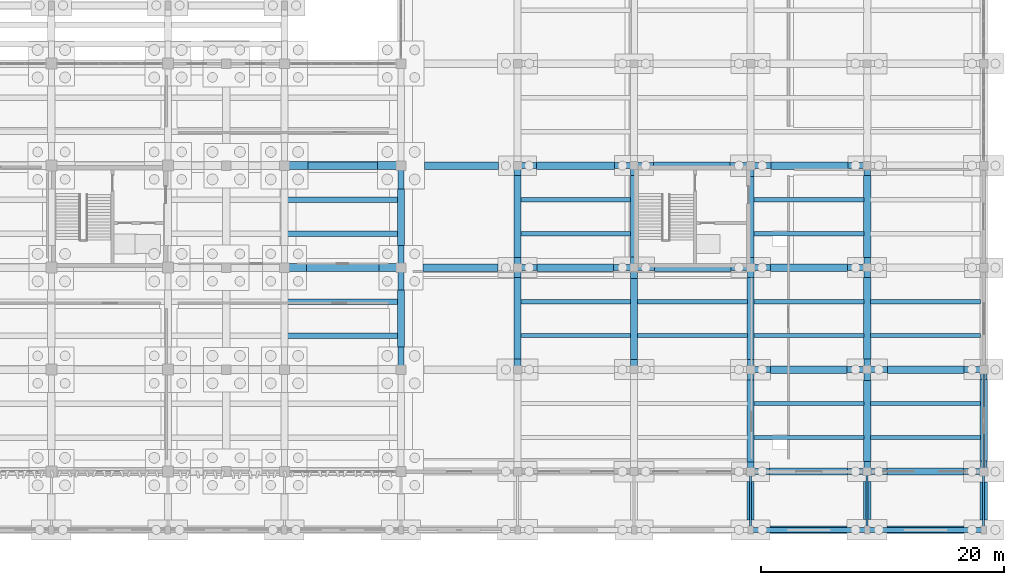
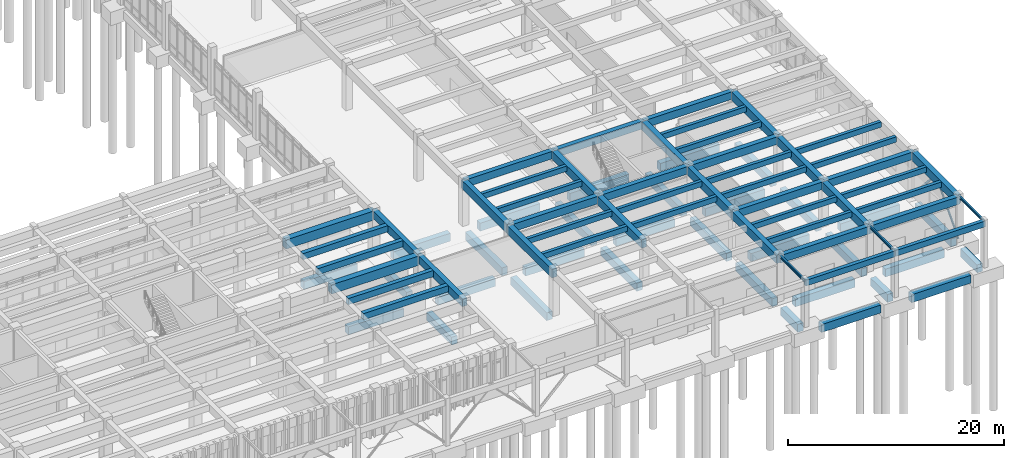
# One storey, part 42 of 102: 82 beams, 2 members.
"""IFC4 building model written with IfcOpenShell, lengths in metres."""

from ifc_helpers import new_model, si_unit, direction, frame, origin, origin_2d, place, context, subcontext, project, spatial, rectangle, hollow_rectangle, i_section, extrude, material, material_profile, profile_set, type_object, element, save


model = new_model("IFC4")

# Units and contexts
model_context = context("Model", 3, precision=1e-05, world=origin(), true_north=direction((0.0, 1.0)))
body_context = subcontext(model_context, "Body", "Model", "MODEL_VIEW")
ifc_project = project(units=[si_unit("LENGTHUNIT", "METRE"), si_unit("AREAUNIT", "SQUARE_METRE"), si_unit("VOLUMEUNIT", "CUBIC_METRE"), si_unit("PLANEANGLEUNIT", "RADIAN"), si_unit("MASSUNIT", "GRAM", prefix="KILO")], contexts=[model_context])

# Site, building, storey
site_placement = place(None, origin())
site = spatial("IfcSite", under=ifc_project, at=site_placement, CompositionType="ELEMENT")
building_placement = place(site_placement, origin())
building = spatial("IfcBuilding", under=site, at=building_placement, Name="Kolvemor Railside Polytechnic", CompositionType="ELEMENT")
storey_placement = place(building_placement, origin())
storey = spatial("IfcBuildingStorey", under=building, at=storey_placement, Name="L00", CompositionType="ELEMENT", Elevation=0.0)

# Beams
ifc_material_1 = material(Name="Concrete C40/50", Category="concrete")
ifc_material_profile_1 = material_profile(ifc_material_1, rectangle(XDim=0.39990234375, YDim=0.64990234375, at=origin_2d()), Name="RC400x650")
ifc_profile_set_1 = profile_set([ifc_material_profile_1], Name="Concrete C40/50")
beam_type_1 = type_object("IfcBeamType", Name="BM-RC-EDGE", PredefinedType="LINTEL", material=ifc_profile_set_1)
beam_1_placement = place(storey_placement, frame((163.199951171875, 0.0, 4.885009765625), z_axis=(1.0, 0.0, 0.0), x_axis=(0.0, 1.0, 0.0)))
element("IfcBeam", 1, at=beam_1_placement, inside=storey, type_object=beam_type_1, Name="Arcade Canopy Lintel Beam 1987", PredefinedType="LINTEL", context=body_context, shape_type="SweptSolid", body=[
    extrude(rectangle(XDim=0.39990234375, YDim=0.64990234375, at=origin_2d()), origin(), (0.0, 0.0, 1.0), 9.60009765625),
])
beam_2_placement = place(storey_placement, frame((172.800048828125, 0.0, 4.885009765625), z_axis=(1.0, 0.0, 0.0), x_axis=(0.0, 1.0, 0.0)))
element("IfcBeam", 2, at=beam_2_placement, inside=storey, type_object=beam_type_1, Name="Arcade Canopy Lintel Beam 1988", PredefinedType="LINTEL", context=body_context, shape_type="SweptSolid", body=[
    extrude(rectangle(XDim=0.39990234375, YDim=0.64990234375, at=origin_2d()), origin(), (0.0, 0.0, 1.0), 9.599853515625),
])
ifc_material_2 = material(Name="Concrete C40/50", Category="concrete")
ifc_material_profile_2 = material_profile(ifc_material_2, rectangle(XDim=0.550048828125, YDim=0.949951171875, at=origin_2d()), Name="RC550x950")
ifc_profile_set_2 = profile_set([ifc_material_profile_2], Name="Concrete C40/50")
beam_type_2 = type_object("IfcBeamType", Name="BM-RC-GIRD", PredefinedType="BEAM", material=ifc_profile_set_2)
beam_3_placement = place(storey_placement, frame((144.0, 13.199951171875, 4.635009765625), z_axis=(0.0, 1.0, 0.0), x_axis=(-1.0, 0.0, 0.0)))
element("IfcBeam", 3, at=beam_3_placement, inside=storey, type_object=beam_type_2, Name="Primary Girder L01-GY 0379", PredefinedType="BEAM", context=body_context, shape_type="SweptSolid", body=[
    extrude(rectangle(XDim=0.550048828125, YDim=0.949951171875, at=origin_2d()), origin(), (0.0, 0.0, 1.0), 8.400146484375),
])
beam_4_placement = place(storey_placement, frame((144.0, 21.60009765625, 4.635009765625), z_axis=(0.0, 1.0, 0.0), x_axis=(-1.0, 0.0, 0.0)))
element("IfcBeam", 4, at=beam_4_placement, inside=storey, type_object=beam_type_2, Name="Primary Girder L01-GY 0380", PredefinedType="BEAM", context=body_context, shape_type="SweptSolid", body=[
    extrude(rectangle(XDim=0.550048828125, YDim=0.949951171875, at=origin_2d()), origin(), (0.0, 0.0, 1.0), 8.39990234375),
])
beam_5_placement = place(storey_placement, frame((153.60009765625, 13.199951171875, 4.635009765625), z_axis=(0.0, 1.0, 0.0), x_axis=(-1.0, 0.0, 0.0)))
element("IfcBeam", 5, at=beam_5_placement, inside=storey, type_object=beam_type_2, Name="Primary Girder L01-GY 0388", PredefinedType="BEAM", context=body_context, shape_type="SweptSolid", body=[
    extrude(rectangle(XDim=0.550048828125, YDim=0.949951171875, at=origin_2d()), origin(), (0.0, 0.0, 1.0), 8.400146484375),
])
for number, where, z_axis, x_axis, name in (
    (6, (153.60009765625, 21.60009765625, 4.635009765625), (0.0, 1.0, 0.0), (-1.0, 0.0, 0.0), "Primary Girder L01-GY 0389"),
    (7, (163.199951171875, 4.800048828125, 4.635009765625), (0.0, 1.0, 0.0), (-1.0, 0.0, 0.0), "Primary Girder L01-GY 0396"),
):
    element("IfcBeam", number, at=place(storey_placement, frame(where, z_axis=z_axis, x_axis=x_axis)), inside=storey, type_object=beam_type_2, Name=name, PredefinedType="BEAM", context=body_context, shape_type="SweptSolid", body=[
        extrude(rectangle(XDim=0.550048828125, YDim=0.949951171875, at=origin_2d()), origin(), (0.0, 0.0, 1.0), 8.39990234375),
    ])
beam_6_placement = place(storey_placement, frame((163.199951171875, 13.199951171875, 4.635009765625), z_axis=(0.0, 1.0, 0.0), x_axis=(-1.0, 0.0, 0.0)))
element("IfcBeam", 8, at=beam_6_placement, inside=storey, type_object=beam_type_2, Name="Primary Girder L01-GY 0397", PredefinedType="BEAM", context=body_context, shape_type="SweptSolid", body=[
    extrude(rectangle(XDim=0.550048828125, YDim=0.949951171875, at=origin_2d()), origin(), (0.0, 0.0, 1.0), 8.400146484375),
])
for number, where, z_axis, x_axis, name in (
    (9, (163.199951171875, 21.60009765625, 4.635009765625), (0.0, 1.0, 0.0), (-1.0, 0.0, 0.0), "Primary Girder L01-GY 0398"),
    (10, (172.800048828125, 4.800048828125, 4.635009765625), (0.0, 1.0, 0.0), (-1.0, 0.0, 0.0), "Primary Girder L01-GY 0405"),
):
    element("IfcBeam", number, at=place(storey_placement, frame(where, z_axis=z_axis, x_axis=x_axis)), inside=storey, type_object=beam_type_2, Name=name, PredefinedType="BEAM", context=body_context, shape_type="SweptSolid", body=[
        extrude(rectangle(XDim=0.550048828125, YDim=0.949951171875, at=origin_2d()), origin(), (0.0, 0.0, 1.0), 8.39990234375),
    ])
beam_7_placement = place(storey_placement, frame((172.800048828125, 13.199951171875, 4.635009765625), z_axis=(0.0, 1.0, 0.0), x_axis=(-1.0, 0.0, 0.0)))
element("IfcBeam", 11, at=beam_7_placement, inside=storey, type_object=beam_type_2, Name="Primary Girder L01-GY 0406", PredefinedType="BEAM", context=body_context, shape_type="SweptSolid", body=[
    extrude(rectangle(XDim=0.550048828125, YDim=0.949951171875, at=origin_2d()), origin(), (0.0, 0.0, 1.0), 8.400146484375),
])
for number, where, z_axis, x_axis, name in (
    (12, (172.800048828125, 21.60009765625, 4.635009765625), (0.0, 1.0, 0.0), (-1.0, 0.0, 0.0), "Primary Girder L01-GY 0407"),
    (13, (182.39990234375, 4.800048828125, 4.635009765625), (0.0, 1.0, 0.0), (-1.0, 0.0, 0.0), "Primary Girder L01-GY 0414"),
):
    element("IfcBeam", number, at=place(storey_placement, frame(where, z_axis=z_axis, x_axis=x_axis)), inside=storey, type_object=beam_type_2, Name=name, PredefinedType="BEAM", context=body_context, shape_type="SweptSolid", body=[
        extrude(rectangle(XDim=0.550048828125, YDim=0.949951171875, at=origin_2d()), origin(), (0.0, 0.0, 1.0), 8.39990234375),
    ])
ifc_material_3 = material(Name="Concrete C40/50", Category="concrete")
ifc_material_profile_3 = material_profile(ifc_material_3, rectangle(XDim=0.64990234375, YDim=1.050048828125, at=origin_2d()), Name="RC650x1050")
ifc_profile_set_3 = profile_set([ifc_material_profile_3], Name="Concrete C40/50")
beam_type_3 = type_object("IfcBeamType", Name="BM-RC-GIRD2", PredefinedType="BEAM", material=ifc_profile_set_3)
for number, where, z_axis, x_axis, name in (
    (14, (124.800048828125, 21.60009765625, 4.5849609375), (1.0, 0.0, 0.0), (0.0, 1.0, 0.0), "Primary Girder L01-GX 0217"),
    (15, (124.800048828125, 30.0, 4.5849609375), (1.0, 0.0, 0.0), (0.0, 1.0, 0.0), "Primary Girder L01-GX 0226"),
):
    element("IfcBeam", number, at=place(storey_placement, frame(where, z_axis=z_axis, x_axis=x_axis)), inside=storey, type_object=beam_type_3, Name=name, PredefinedType="BEAM", context=body_context, shape_type="SweptSolid", body=[
        extrude(rectangle(XDim=0.64990234375, YDim=1.050048828125, at=origin_2d()), origin(), (0.0, 0.0, 1.0), 9.599853515625),
    ])
ifc_material_4 = material(Name="Concrete C40/50", Category="concrete")
ifc_material_profile_4 = material_profile(ifc_material_4, rectangle(XDim=0.5, YDim=0.85009765625, at=origin_2d()), Name="RC500x850")
ifc_profile_set_4 = profile_set([ifc_material_profile_4], Name="Concrete C40/50")
beam_type_4 = type_object("IfcBeamType", Name="BM-RC-GIRD3", PredefinedType="BEAM", material=ifc_profile_set_4)
beam_8_placement = place(storey_placement, frame((134.39990234375, 13.199951171875, 4.68505859375), z_axis=(0.0, 1.0, 0.0), x_axis=(-1.0, 0.0, 0.0)))
element("IfcBeam", 16, at=beam_8_placement, inside=storey, type_object=beam_type_4, Name="Primary Girder L01-GY 0269", PredefinedType="BEAM", context=body_context, shape_type="SweptSolid", body=[
    extrude(rectangle(XDim=0.5, YDim=0.85009765625, at=origin_2d()), origin(), (0.0, 0.0, 1.0), 8.400146484375),
])
beam_9_placement = place(storey_placement, frame((134.39990234375, 21.60009765625, 4.68505859375), z_axis=(0.0, 1.0, 0.0), x_axis=(-1.0, 0.0, 0.0)))
element("IfcBeam", 17, at=beam_9_placement, inside=storey, type_object=beam_type_4, Name="Primary Girder L01-GY 0270", PredefinedType="BEAM", context=body_context, shape_type="SweptSolid", body=[
    extrude(rectangle(XDim=0.5, YDim=0.85009765625, at=origin_2d()), origin(), (0.0, 0.0, 1.0), 8.39990234375),
])
beam_10_placement = place(storey_placement, frame((163.199951171875, 4.800048828125, 4.68505859375), z_axis=(1.0, 0.0, 0.0), x_axis=(0.0, 1.0, 0.0)))
element("IfcBeam", 18, at=beam_10_placement, inside=storey, type_object=beam_type_4, Name="Primary Girder L01-GX 0340", PredefinedType="BEAM", context=body_context, shape_type="SweptSolid", body=[
    extrude(rectangle(XDim=0.5, YDim=0.85009765625, at=origin_2d()), origin(), (0.0, 0.0, 1.0), 9.60009765625),
])
beam_11_placement = place(storey_placement, frame((172.800048828125, 4.800048828125, 4.68505859375), z_axis=(1.0, 0.0, 0.0), x_axis=(0.0, 1.0, 0.0)))
element("IfcBeam", 19, at=beam_11_placement, inside=storey, type_object=beam_type_4, Name="Primary Girder L01-GX 0341", PredefinedType="BEAM", context=body_context, shape_type="SweptSolid", body=[
    extrude(rectangle(XDim=0.5, YDim=0.85009765625, at=origin_2d()), origin(), (0.0, 0.0, 1.0), 9.599853515625),
])
beam_12_placement = place(storey_placement, frame((163.199951171875, 13.199951171875, 4.68505859375), z_axis=(1.0, 0.0, 0.0), x_axis=(0.0, 1.0, 0.0)))
element("IfcBeam", 20, at=beam_12_placement, inside=storey, type_object=beam_type_4, Name="Primary Girder L01-GX 0344", PredefinedType="BEAM", context=body_context, shape_type="SweptSolid", body=[
    extrude(rectangle(XDim=0.5, YDim=0.85009765625, at=origin_2d()), origin(), (0.0, 0.0, 1.0), 9.60009765625),
])
beam_13_placement = place(storey_placement, frame((172.800048828125, 13.199951171875, 4.68505859375), z_axis=(1.0, 0.0, 0.0), x_axis=(0.0, 1.0, 0.0)))
element("IfcBeam", 21, at=beam_13_placement, inside=storey, type_object=beam_type_4, Name="Primary Girder L01-GX 0345", PredefinedType="BEAM", context=body_context, shape_type="SweptSolid", body=[
    extrude(rectangle(XDim=0.5, YDim=0.85009765625, at=origin_2d()), origin(), (0.0, 0.0, 1.0), 9.599853515625),
])
beam_14_placement = place(storey_placement, frame((144.0, 21.60009765625, 4.68505859375), z_axis=(1.0, 0.0, 0.0), x_axis=(0.0, 1.0, 0.0)))
element("IfcBeam", 22, at=beam_14_placement, inside=storey, type_object=beam_type_4, Name="Primary Girder L01-GX 0346", PredefinedType="BEAM", context=body_context, shape_type="SweptSolid", body=[
    extrude(rectangle(XDim=0.5, YDim=0.85009765625, at=origin_2d()), origin(), (0.0, 0.0, 1.0), 9.60009765625),
])
beam_15_placement = place(storey_placement, frame((153.60009765625, 21.60009765625, 4.68505859375), z_axis=(1.0, 0.0, 0.0), x_axis=(0.0, 1.0, 0.0)))
element("IfcBeam", 23, at=beam_15_placement, inside=storey, type_object=beam_type_4, Name="Primary Girder L01-GX 0347", PredefinedType="BEAM", context=body_context, shape_type="SweptSolid", body=[
    extrude(rectangle(XDim=0.5, YDim=0.85009765625, at=origin_2d()), origin(), (0.0, 0.0, 1.0), 9.599853515625),
])
for number, where, z_axis, x_axis, name in (
    (24, (163.199951171875, 21.60009765625, 4.68505859375), (1.0, 0.0, 0.0), (0.0, 1.0, 0.0), "Primary Girder L01-GX 0348"),
    (25, (144.0, 30.0, 4.68505859375), (1.0, 0.0, 0.0), (0.0, 1.0, 0.0), "Primary Girder L01-GX 0350"),
):
    element("IfcBeam", number, at=place(storey_placement, frame(where, z_axis=z_axis, x_axis=x_axis)), inside=storey, type_object=beam_type_4, Name=name, PredefinedType="BEAM", context=body_context, shape_type="SweptSolid", body=[
        extrude(rectangle(XDim=0.5, YDim=0.85009765625, at=origin_2d()), origin(), (0.0, 0.0, 1.0), 9.60009765625),
    ])
beam_16_placement = place(storey_placement, frame((153.60009765625, 30.0, 4.68505859375), z_axis=(1.0, 0.0, 0.0), x_axis=(0.0, 1.0, 0.0)))
element("IfcBeam", 26, at=beam_16_placement, inside=storey, type_object=beam_type_4, Name="Primary Girder L01-GX 0351", PredefinedType="BEAM", context=body_context, shape_type="SweptSolid", body=[
    extrude(rectangle(XDim=0.5, YDim=0.85009765625, at=origin_2d()), origin(), (0.0, 0.0, 1.0), 9.599853515625),
])
beam_17_placement = place(storey_placement, frame((163.199951171875, 30.0, 4.68505859375), z_axis=(1.0, 0.0, 0.0), x_axis=(0.0, 1.0, 0.0)))
element("IfcBeam", 27, at=beam_17_placement, inside=storey, type_object=beam_type_4, Name="Primary Girder L01-GX 0352", PredefinedType="BEAM", context=body_context, shape_type="SweptSolid", body=[
    extrude(rectangle(XDim=0.5, YDim=0.85009765625, at=origin_2d()), origin(), (0.0, 0.0, 1.0), 9.60009765625),
])
ifc_material_5 = material(Name="Concrete C40/50", Category="concrete")
ifc_material_profile_5 = material_profile(ifc_material_5, rectangle(XDim=0.449951171875, YDim=0.699951171875, at=origin_2d()), Name="RC450x700")
ifc_profile_set_5 = profile_set([ifc_material_profile_5], Name="Concrete C40/50")
beam_type_5 = type_object("IfcBeamType", Name="BM-RC-SEC2", PredefinedType="JOIST", material=ifc_profile_set_5)
for number, where, z_axis, x_axis, name in (
    (28, (125.050048828125, 16.0, 4.760009765625), (1.0, 0.0, 0.0), (0.0, 1.0, 0.0), "Floor Joist L01-J0332"),
    (29, (125.050048828125, 18.800048828125, 4.760009765625), (1.0, 0.0, 0.0), (0.0, 1.0, 0.0), "Floor Joist L01-J0333"),
    (30, (125.050048828125, 24.39990234375, 4.760009765625), (1.0, 0.0, 0.0), (0.0, 1.0, 0.0), "Floor Joist L01-J0334"),
    (31, (125.050048828125, 27.199951171875, 4.760009765625), (1.0, 0.0, 0.0), (0.0, 1.0, 0.0), "Floor Joist L01-J0335"),
):
    element("IfcBeam", number, at=place(storey_placement, frame(where, z_axis=z_axis, x_axis=x_axis)), inside=storey, type_object=beam_type_5, Name=name, PredefinedType="JOIST", context=body_context, shape_type="SweptSolid", body=[
        extrude(rectangle(XDim=0.449951171875, YDim=0.699951171875, at=origin_2d()), origin(), (0.0, 0.0, 1.0), 9.099853515625),
    ])
ifc_material_6 = material(Name="Concrete C40/50", Category="concrete")
ifc_material_profile_6 = material_profile(ifc_material_6, rectangle(XDim=0.35009765625, YDim=0.60009765625, at=origin_2d()), Name="RC350x600")
ifc_profile_set_6 = profile_set([ifc_material_profile_6], Name="Concrete C40/50")
beam_type_6 = type_object("IfcBeamType", Name="BM-RC-SEC3", PredefinedType="JOIST", material=ifc_profile_set_6)
for number, where, z_axis, x_axis, name in (
    (32, (144.27490234375, 16.0, 4.81005859375), (1.0, 0.0, 0.0), (0.0, 1.0, 0.0), "Floor Joist L01-J0425"),
    (33, (144.27490234375, 18.800048828125, 4.81005859375), (1.0, 0.0, 0.0), (0.0, 1.0, 0.0), "Floor Joist L01-J0426"),
    (34, (144.27490234375, 24.39990234375, 4.81005859375), (1.0, 0.0, 0.0), (0.0, 1.0, 0.0), "Floor Joist L01-J0427"),
    (35, (144.27490234375, 27.199951171875, 4.81005859375), (1.0, 0.0, 0.0), (0.0, 1.0, 0.0), "Floor Joist L01-J0428"),
    (36, (153.875, 16.0, 4.81005859375), (1.0, 0.0, 0.0), (0.0, 1.0, 0.0), "Floor Joist L01-J0443"),
    (37, (153.875, 18.800048828125, 4.81005859375), (1.0, 0.0, 0.0), (0.0, 1.0, 0.0), "Floor Joist L01-J0444"),
):
    element("IfcBeam", number, at=place(storey_placement, frame(where, z_axis=z_axis, x_axis=x_axis)), inside=storey, type_object=beam_type_6, Name=name, PredefinedType="JOIST", context=body_context, shape_type="SweptSolid", body=[
        extrude(rectangle(XDim=0.35009765625, YDim=0.60009765625, at=origin_2d()), origin(), (0.0, 0.0, 1.0), 9.050048828125),
    ])
for number, where, z_axis, x_axis, name in (
    (38, (163.47509765625, 7.60009765625, 4.81005859375), (1.0, 0.0, 0.0), (0.0, 1.0, 0.0), "Floor Joist L01-J0455"),
    (39, (163.47509765625, 10.39990234375, 4.81005859375), (1.0, 0.0, 0.0), (0.0, 1.0, 0.0), "Floor Joist L01-J0456"),
    (40, (163.47509765625, 16.0, 4.81005859375), (1.0, 0.0, 0.0), (0.0, 1.0, 0.0), "Floor Joist L01-J0457"),
    (41, (163.47509765625, 18.800048828125, 4.81005859375), (1.0, 0.0, 0.0), (0.0, 1.0, 0.0), "Floor Joist L01-J0458"),
    (42, (163.47509765625, 24.39990234375, 4.81005859375), (1.0, 0.0, 0.0), (0.0, 1.0, 0.0), "Floor Joist L01-J0459"),
    (43, (163.47509765625, 27.199951171875, 4.81005859375), (1.0, 0.0, 0.0), (0.0, 1.0, 0.0), "Floor Joist L01-J0460"),
):
    element("IfcBeam", number, at=place(storey_placement, frame(where, z_axis=z_axis, x_axis=x_axis)), inside=storey, type_object=beam_type_6, Name=name, PredefinedType="JOIST", context=body_context, shape_type="SweptSolid", body=[
        extrude(rectangle(XDim=0.35009765625, YDim=0.60009765625, at=origin_2d()), origin(), (0.0, 0.0, 1.0), 9.0498046875),
    ])
for number, where, z_axis, x_axis, name in (
    (44, (173.074951171875, 7.60009765625, 4.81005859375), (1.0, 0.0, 0.0), (0.0, 1.0, 0.0), "Floor Joist L01-J0473"),
    (45, (173.074951171875, 10.39990234375, 4.81005859375), (1.0, 0.0, 0.0), (0.0, 1.0, 0.0), "Floor Joist L01-J0474"),
    (46, (173.074951171875, 16.0, 4.81005859375), (1.0, 0.0, 0.0), (0.0, 1.0, 0.0), "Floor Joist L01-J0475"),
    (47, (173.074951171875, 18.800048828125, 4.81005859375), (1.0, 0.0, 0.0), (0.0, 1.0, 0.0), "Floor Joist L01-J0476"),
):
    element("IfcBeam", number, at=place(storey_placement, frame(where, z_axis=z_axis, x_axis=x_axis)), inside=storey, type_object=beam_type_6, Name=name, PredefinedType="JOIST", context=body_context, shape_type="SweptSolid", body=[
        extrude(rectangle(XDim=0.35009765625, YDim=0.60009765625, at=origin_2d()), origin(), (0.0, 0.0, 1.0), 9.050048828125),
    ])
ifc_material_7 = material(Name="Concrete C40/50", Category="concrete")
ifc_material_profile_7 = material_profile(ifc_material_7, rectangle(XDim=0.60009765625, YDim=0.89990234375, at=origin_2d()), Name="RC600x900")
ifc_profile_set_7 = profile_set([ifc_material_profile_7], Name="Concrete C40/50")
beam_type_7 = type_object("IfcBeamType", Name="BM-RC-TIE", PredefinedType="BEAM", material=ifc_profile_set_7)
beam_18_placement = place(storey_placement, frame((164.802001953125, 0.0, -0.75), z_axis=(1.0, 0.0, 0.0), x_axis=(0.0, 1.0, 0.0)))
element("IfcBeam", 48, at=beam_18_placement, inside=storey, type_object=beam_type_7, Name="Ground Tie Beam GTB-X018", PredefinedType="BEAM", context=body_context, shape_type="SweptSolid", body=[
    extrude(rectangle(XDim=0.60009765625, YDim=0.89990234375, at=origin_2d()), origin(), (0.0, 0.0, 1.0), 6.345947265625),
])
beam_19_placement = place(storey_placement, frame((174.451904296875, 0.0, -0.75), z_axis=(1.0, 0.0, 0.0), x_axis=(0.0, 1.0, 0.0)))
element("IfcBeam", 49, at=beam_19_placement, inside=storey, type_object=beam_type_7, Name="Ground Tie Beam GTB-X019", PredefinedType="BEAM", context=body_context, shape_type="SweptSolid", body=[
    extrude(rectangle(XDim=0.60009765625, YDim=0.89990234375, at=origin_2d()), origin(), (0.0, 0.0, 1.0), 6.321044921875),
])
beam_20_placement = place(storey_placement, frame((164.777099609375, 4.800048828125, -0.75), z_axis=(1.0, 0.0, 0.0), x_axis=(0.0, 1.0, 0.0)))
element("IfcBeam", 50, at=beam_20_placement, inside=storey, type_object=beam_type_7, Name="Ground Tie Beam GTB-X042", PredefinedType="BEAM", context=body_context, shape_type="SweptSolid", body=[
    extrude(rectangle(XDim=0.60009765625, YDim=0.89990234375, at=origin_2d()), origin(), (0.0, 0.0, 1.0), 6.39599609375),
])
beam_21_placement = place(storey_placement, frame((174.427001953125, 4.800048828125, -0.75), z_axis=(1.0, 0.0, 0.0), x_axis=(0.0, 1.0, 0.0)))
element("IfcBeam", 51, at=beam_21_placement, inside=storey, type_object=beam_type_7, Name="Ground Tie Beam GTB-X043", PredefinedType="BEAM", context=body_context, shape_type="SweptSolid", body=[
    extrude(rectangle(XDim=0.60009765625, YDim=0.89990234375, at=origin_2d()), origin(), (0.0, 0.0, 1.0), 6.2958984375),
])
beam_22_placement = place(storey_placement, frame((164.85205078125, 13.199951171875, -0.75), z_axis=(1.0, 0.0, 0.0), x_axis=(0.0, 1.0, 0.0)))
element("IfcBeam", 52, at=beam_22_placement, inside=storey, type_object=beam_type_7, Name="Ground Tie Beam GTB-X063", PredefinedType="BEAM", context=body_context, shape_type="SweptSolid", body=[
    extrude(rectangle(XDim=0.60009765625, YDim=0.89990234375, at=origin_2d()), origin(), (0.0, 0.0, 1.0), 6.27099609375),
])
beam_23_placement = place(storey_placement, frame((174.47705078125, 13.199951171875, -0.75), z_axis=(1.0, 0.0, 0.0), x_axis=(0.0, 1.0, 0.0)))
element("IfcBeam", 53, at=beam_23_placement, inside=storey, type_object=beam_type_7, Name="Ground Tie Beam GTB-X064", PredefinedType="BEAM", context=body_context, shape_type="SweptSolid", body=[
    extrude(rectangle(XDim=0.60009765625, YDim=0.89990234375, at=origin_2d()), origin(), (0.0, 0.0, 1.0), 6.321044921875),
])
beam_24_placement = place(storey_placement, frame((126.626953125, 21.60009765625, -0.75), z_axis=(1.0, 0.0, 0.0), x_axis=(0.0, 1.0, 0.0)))
element("IfcBeam", 54, at=beam_24_placement, inside=storey, type_object=beam_type_7, Name="Ground Tie Beam GTB-X080", PredefinedType="BEAM", context=body_context, shape_type="SweptSolid", body=[
    extrude(rectangle(XDim=0.60009765625, YDim=0.89990234375, at=origin_2d()), origin(), (0.0, 0.0, 1.0), 5.946044921875),
])
beam_25_placement = place(storey_placement, frame((136.22705078125, 21.60009765625, -0.75), z_axis=(1.0, 0.0, 0.0), x_axis=(0.0, 1.0, 0.0)))
element("IfcBeam", 55, at=beam_25_placement, inside=storey, type_object=beam_type_7, Name="Ground Tie Beam GTB-X081", PredefinedType="BEAM", context=body_context, shape_type="SweptSolid", body=[
    extrude(rectangle(XDim=0.60009765625, YDim=0.89990234375, at=origin_2d()), origin(), (0.0, 0.0, 1.0), 6.1708984375),
])
beam_26_placement = place(storey_placement, frame((145.60205078125, 21.60009765625, -0.75), z_axis=(1.0, 0.0, 0.0), x_axis=(0.0, 1.0, 0.0)))
element("IfcBeam", 56, at=beam_26_placement, inside=storey, type_object=beam_type_7, Name="Ground Tie Beam GTB-X082", PredefinedType="BEAM", context=body_context, shape_type="SweptSolid", body=[
    extrude(rectangle(XDim=0.60009765625, YDim=0.89990234375, at=origin_2d()), origin(), (0.0, 0.0, 1.0), 6.321044921875),
])
beam_27_placement = place(storey_placement, frame((155.277099609375, 21.60009765625, -0.75), z_axis=(1.0, 0.0, 0.0), x_axis=(0.0, 1.0, 0.0)))
element("IfcBeam", 57, at=beam_27_placement, inside=storey, type_object=beam_type_7, Name="Ground Tie Beam GTB-X083", PredefinedType="BEAM", context=body_context, shape_type="SweptSolid", body=[
    extrude(rectangle(XDim=0.60009765625, YDim=0.89990234375, at=origin_2d()), origin(), (0.0, 0.0, 1.0), 6.2958984375),
])
beam_28_placement = place(storey_placement, frame((164.826904296875, 21.60009765625, -0.75), z_axis=(1.0, 0.0, 0.0), x_axis=(0.0, 1.0, 0.0)))
element("IfcBeam", 58, at=beam_28_placement, inside=storey, type_object=beam_type_7, Name="Ground Tie Beam GTB-X084", PredefinedType="BEAM", context=body_context, shape_type="SweptSolid", body=[
    extrude(rectangle(XDim=0.60009765625, YDim=0.89990234375, at=origin_2d()), origin(), (0.0, 0.0, 1.0), 6.37109375),
])
beam_29_placement = place(storey_placement, frame((126.72705078125, 30.0, -0.75), z_axis=(1.0, 0.0, 0.0), x_axis=(0.0, 1.0, 0.0)))
element("IfcBeam", 59, at=beam_29_placement, inside=storey, type_object=beam_type_7, Name="Ground Tie Beam GTB-X101", PredefinedType="BEAM", context=body_context, shape_type="SweptSolid", body=[
    extrude(rectangle(XDim=0.60009765625, YDim=0.89990234375, at=origin_2d()), origin(), (0.0, 0.0, 1.0), 5.745849609375),
])
beam_30_placement = place(storey_placement, frame((136.326904296875, 30.0, -0.75), z_axis=(1.0, 0.0, 0.0), x_axis=(0.0, 1.0, 0.0)))
element("IfcBeam", 60, at=beam_30_placement, inside=storey, type_object=beam_type_7, Name="Ground Tie Beam GTB-X102", PredefinedType="BEAM", context=body_context, shape_type="SweptSolid", body=[
    extrude(rectangle(XDim=0.60009765625, YDim=0.89990234375, at=origin_2d()), origin(), (0.0, 0.0, 1.0), 6.09619140625),
])
beam_31_placement = place(storey_placement, frame((145.576904296875, 30.0, -0.75), z_axis=(1.0, 0.0, 0.0), x_axis=(0.0, 1.0, 0.0)))
element("IfcBeam", 61, at=beam_31_placement, inside=storey, type_object=beam_type_7, Name="Ground Tie Beam GTB-X103", PredefinedType="BEAM", context=body_context, shape_type="SweptSolid", body=[
    extrude(rectangle(XDim=0.60009765625, YDim=0.89990234375, at=origin_2d()), origin(), (0.0, 0.0, 1.0), 6.421142578125),
])
beam_32_placement = place(storey_placement, frame((155.201904296875, 30.0, -0.75), z_axis=(1.0, 0.0, 0.0), x_axis=(0.0, 1.0, 0.0)))
element("IfcBeam", 62, at=beam_32_placement, inside=storey, type_object=beam_type_7, Name="Ground Tie Beam GTB-X104", PredefinedType="BEAM", context=body_context, shape_type="SweptSolid", body=[
    extrude(rectangle(XDim=0.60009765625, YDim=0.89990234375, at=origin_2d()), origin(), (0.0, 0.0, 1.0), 6.321044921875),
])
beam_33_placement = place(storey_placement, frame((164.876953125, 30.0, -0.75), z_axis=(1.0, 0.0, 0.0), x_axis=(0.0, 1.0, 0.0)))
element("IfcBeam", 63, at=beam_33_placement, inside=storey, type_object=beam_type_7, Name="Ground Tie Beam GTB-X105", PredefinedType="BEAM", context=body_context, shape_type="SweptSolid", body=[
    extrude(rectangle(XDim=0.60009765625, YDim=0.89990234375, at=origin_2d()), origin(), (0.0, 0.0, 1.0), 6.345947265625),
])
beam_34_placement = place(storey_placement, frame((134.39990234375, 15.076904296875, -0.75), z_axis=(0.0, 1.0, 0.0), x_axis=(-1.0, 0.0, 0.0)))
element("IfcBeam", 64, at=beam_34_placement, inside=storey, type_object=beam_type_7, Name="Ground Tie Beam GTB-Y380", PredefinedType="BEAM", context=body_context, shape_type="SweptSolid", body=[
    extrude(rectangle(XDim=0.60009765625, YDim=0.89990234375, at=origin_2d()), origin(), (0.0, 0.0, 1.0), 4.696044921875),
])
beam_35_placement = place(storey_placement, frame((134.39990234375, 23.427001953125, -0.75), z_axis=(0.0, 1.0, 0.0), x_axis=(-1.0, 0.0, 0.0)))
element("IfcBeam", 65, at=beam_35_placement, inside=storey, type_object=beam_type_7, Name="Ground Tie Beam GTB-Y381", PredefinedType="BEAM", context=body_context, shape_type="SweptSolid", body=[
    extrude(rectangle(XDim=0.60009765625, YDim=0.89990234375, at=origin_2d()), origin(), (0.0, 0.0, 1.0), 4.64599609375),
])
beam_36_placement = place(storey_placement, frame((144.0, 14.076904296875, -0.75), z_axis=(0.0, 1.0, 0.0), x_axis=(-1.0, 0.0, 0.0)))
element("IfcBeam", 66, at=beam_36_placement, inside=storey, type_object=beam_type_7, Name="Ground Tie Beam GTB-Y393", PredefinedType="BEAM", context=body_context, shape_type="SweptSolid", body=[
    extrude(rectangle(XDim=0.60009765625, YDim=0.89990234375, at=origin_2d()), origin(), (0.0, 0.0, 1.0), 6.696044921875),
])
beam_37_placement = place(storey_placement, frame((144.0, 22.427001953125, -0.75), z_axis=(0.0, 1.0, 0.0), x_axis=(-1.0, 0.0, 0.0)))
element("IfcBeam", 67, at=beam_37_placement, inside=storey, type_object=beam_type_7, Name="Ground Tie Beam GTB-Y394", PredefinedType="BEAM", context=body_context, shape_type="SweptSolid", body=[
    extrude(rectangle(XDim=0.60009765625, YDim=0.89990234375, at=origin_2d()), origin(), (0.0, 0.0, 1.0), 6.77099609375),
])
beam_38_placement = place(storey_placement, frame((153.60009765625, 14.027099609375, -0.75), z_axis=(0.0, 1.0, 0.0), x_axis=(-1.0, 0.0, 0.0)))
element("IfcBeam", 68, at=beam_38_placement, inside=storey, type_object=beam_type_7, Name="Ground Tie Beam GTB-Y406", PredefinedType="BEAM", context=body_context, shape_type="SweptSolid", body=[
    extrude(rectangle(XDim=0.60009765625, YDim=0.89990234375, at=origin_2d()), origin(), (0.0, 0.0, 1.0), 6.69580078125),
])
beam_39_placement = place(storey_placement, frame((153.60009765625, 22.47705078125, -0.75), z_axis=(0.0, 1.0, 0.0), x_axis=(-1.0, 0.0, 0.0)))
element("IfcBeam", 69, at=beam_39_placement, inside=storey, type_object=beam_type_7, Name="Ground Tie Beam GTB-Y407", PredefinedType="BEAM", context=body_context, shape_type="SweptSolid", body=[
    extrude(rectangle(XDim=0.60009765625, YDim=0.89990234375, at=origin_2d()), origin(), (0.0, 0.0, 1.0), 6.696044921875),
])
beam_40_placement = place(storey_placement, frame((163.199951171875, 0.826904296875, -0.75), z_axis=(0.0, 1.0, 0.0), x_axis=(-1.0, 0.0, 0.0)))
element("IfcBeam", 70, at=beam_40_placement, inside=storey, type_object=beam_type_7, Name="Ground Tie Beam GTB-Y417", PredefinedType="BEAM", context=body_context, shape_type="SweptSolid", body=[
    extrude(rectangle(XDim=0.60009765625, YDim=0.89990234375, at=origin_2d()), origin(), (0.0, 0.0, 1.0), 3.171142578125),
])
beam_41_placement = place(storey_placement, frame((163.199951171875, 5.60205078125, -0.75), z_axis=(0.0, 1.0, 0.0), x_axis=(-1.0, 0.0, 0.0)))
element("IfcBeam", 71, at=beam_41_placement, inside=storey, type_object=beam_type_7, Name="Ground Tie Beam GTB-Y418", PredefinedType="BEAM", context=body_context, shape_type="SweptSolid", body=[
    extrude(rectangle(XDim=0.60009765625, YDim=0.89990234375, at=origin_2d()), origin(), (0.0, 0.0, 1.0), 6.745849609375),
])
beam_42_placement = place(storey_placement, frame((163.199951171875, 14.052001953125, -0.75), z_axis=(0.0, 1.0, 0.0), x_axis=(-1.0, 0.0, 0.0)))
element("IfcBeam", 72, at=beam_42_placement, inside=storey, type_object=beam_type_7, Name="Ground Tie Beam GTB-Y419", PredefinedType="BEAM", context=body_context, shape_type="SweptSolid", body=[
    extrude(rectangle(XDim=0.60009765625, YDim=0.89990234375, at=origin_2d()), origin(), (0.0, 0.0, 1.0), 6.720947265625),
])
beam_43_placement = place(storey_placement, frame((163.199951171875, 22.427001953125, -0.75), z_axis=(0.0, 1.0, 0.0), x_axis=(-1.0, 0.0, 0.0)))
element("IfcBeam", 73, at=beam_43_placement, inside=storey, type_object=beam_type_7, Name="Ground Tie Beam GTB-Y420", PredefinedType="BEAM", context=body_context, shape_type="SweptSolid", body=[
    extrude(rectangle(XDim=0.60009765625, YDim=0.89990234375, at=origin_2d()), origin(), (0.0, 0.0, 1.0), 6.696044921875),
])
beam_44_placement = place(storey_placement, frame((172.800048828125, 0.85205078125, -0.75), z_axis=(0.0, 1.0, 0.0), x_axis=(-1.0, 0.0, 0.0)))
element("IfcBeam", 74, at=beam_44_placement, inside=storey, type_object=beam_type_7, Name="Ground Tie Beam GTB-Y428", PredefinedType="BEAM", context=body_context, shape_type="SweptSolid", body=[
    extrude(rectangle(XDim=0.60009765625, YDim=0.89990234375, at=origin_2d()), origin(), (0.0, 0.0, 1.0), 3.120849609375),
])
for number, where, z_axis, x_axis, name in (
    (75, (172.800048828125, 5.626953125, -0.75), (0.0, 1.0, 0.0), (-1.0, 0.0, 0.0), "Ground Tie Beam GTB-Y429"),
    (76, (172.800048828125, 14.076904296875, -0.75), (0.0, 1.0, 0.0), (-1.0, 0.0, 0.0), "Ground Tie Beam GTB-Y430"),
):
    element("IfcBeam", number, at=place(storey_placement, frame(where, z_axis=z_axis, x_axis=x_axis)), inside=storey, type_object=beam_type_7, Name=name, PredefinedType="BEAM", context=body_context, shape_type="SweptSolid", body=[
        extrude(rectangle(XDim=0.60009765625, YDim=0.89990234375, at=origin_2d()), origin(), (0.0, 0.0, 1.0), 6.696044921875),
    ])
beam_45_placement = place(storey_placement, frame((172.800048828125, 22.427001953125, -0.75), z_axis=(0.0, 1.0, 0.0), x_axis=(-1.0, 0.0, 0.0)))
element("IfcBeam", 77, at=beam_45_placement, inside=storey, type_object=beam_type_7, Name="Ground Tie Beam GTB-Y431", PredefinedType="BEAM", context=body_context, shape_type="SweptSolid", body=[
    extrude(rectangle(XDim=0.60009765625, YDim=0.89990234375, at=origin_2d()), origin(), (0.0, 0.0, 1.0), 6.77099609375),
])
beam_46_placement = place(storey_placement, frame((182.39990234375, 0.826904296875, -0.75), z_axis=(0.0, 1.0, 0.0), x_axis=(-1.0, 0.0, 0.0)))
element("IfcBeam", 78, at=beam_46_placement, inside=storey, type_object=beam_type_7, Name="Ground Tie Beam GTB-Y438", PredefinedType="BEAM", context=body_context, shape_type="SweptSolid", body=[
    extrude(rectangle(XDim=0.60009765625, YDim=0.89990234375, at=origin_2d()), origin(), (0.0, 0.0, 1.0), 3.09619140625),
])
beam_47_placement = place(storey_placement, frame((182.39990234375, 5.677001953125, -0.75), z_axis=(0.0, 1.0, 0.0), x_axis=(-1.0, 0.0, 0.0)))
element("IfcBeam", 79, at=beam_47_placement, inside=storey, type_object=beam_type_7, Name="Ground Tie Beam GTB-Y439", PredefinedType="BEAM", context=body_context, shape_type="SweptSolid", body=[
    extrude(rectangle(XDim=0.60009765625, YDim=0.89990234375, at=origin_2d()), origin(), (0.0, 0.0, 1.0), 6.696044921875),
])
ifc_material_8 = material(Name="Steel S355", Category="steel")
ifc_material_profile_8 = material_profile(ifc_material_8, i_section(OverallWidth=0.166015625, OverallDepth=0.31298828125, WebThickness=0.006591796875, FlangeThickness=0.01123046875, FilletRadius=0.010009765625, at=origin_2d()), Name="W310x45")
ifc_profile_set_8 = profile_set([ifc_material_profile_8], Name="Steel S355")
beam_type_8 = type_object("IfcBeamType", Name="BM-ST-SUB", PredefinedType="BEAM", material=ifc_profile_set_8)
for number, where, z_axis, x_axis, name in (
    (80, (163.199951171875, 0.0, 5.052978515625), (0.0, 1.0, 0.0), (-1.0, 0.0, 0.0), "Arcade Outrigger Collector Beam 2001"),
    (81, (172.800048828125, 0.0, 5.052978515625), (0.0, 1.0, 0.0), (-1.0, 0.0, 0.0), "Arcade Outrigger Collector Beam 2002"),
    (82, (182.39990234375, 0.0, 5.052978515625), (0.0, 1.0, 0.0), (-1.0, 0.0, 0.0), "Arcade Outrigger Collector Beam 2003"),
):
    element("IfcBeam", number, at=place(storey_placement, frame(where, z_axis=z_axis, x_axis=x_axis)), inside=storey, type_object=beam_type_8, Name=name, PredefinedType="BEAM", context=body_context, shape_type="SweptSolid", body=[
        extrude(i_section(OverallWidth=0.166015625, OverallDepth=0.31298828125, WebThickness=0.006591796875, FlangeThickness=0.01123046875, FilletRadius=0.010009765625, at=origin_2d()), origin(), (0.0, 0.0, 1.0), 4.800048828125),
    ])

# Members
ifc_material_9 = material(Name="Steel S355", Category="steel")
ifc_material_profile_9 = material_profile(ifc_material_9, hollow_rectangle(XDim=0.139892578125, YDim=0.219970703125, WallThickness=0.010009765625, InnerFilletRadius=0.010009765625, OuterFilletRadius=0.02001953125, at=origin_2d()), Name="HSS220x140x10")
ifc_profile_set_9 = profile_set([ifc_material_profile_9], Name="Steel S355")
member_type = type_object("IfcMemberType", Name="MEM-BR-HSS3", PredefinedType="BRACE", material=ifc_profile_set_9)
for number, where, z_axis, x_axis, name in (
    (83, (182.39990234375, 4.800048828125, 0.14990234375), (0.0, 0.66947628956, 0.742833425282), (-1.0, 0.0, 0.0), "Wind Chevron Brace BR-20A"),
    (84, (182.39990234375, 13.199951171875, 0.14990234375), (0.0, -0.66947628956, 0.742833425282), (1.0, 0.0, 0.0), "Wind Chevron Brace BR-20B"),
):
    element("IfcMember", number, at=place(storey_placement, frame(where, z_axis=z_axis, x_axis=x_axis)), inside=storey, type_object=member_type, Name=name, PredefinedType="BRACE", context=body_context, shape_type="SweptSolid", body=[
        extrude(hollow_rectangle(XDim=0.139892578125, YDim=0.219970703125, WallThickness=0.010009765625, InnerFilletRadius=0.010009765625, OuterFilletRadius=0.02001953125, at=origin_2d()), origin(), (0.0, 0.0, 1.0), 6.2734375),
    ])

save(model, "model.ifc")
